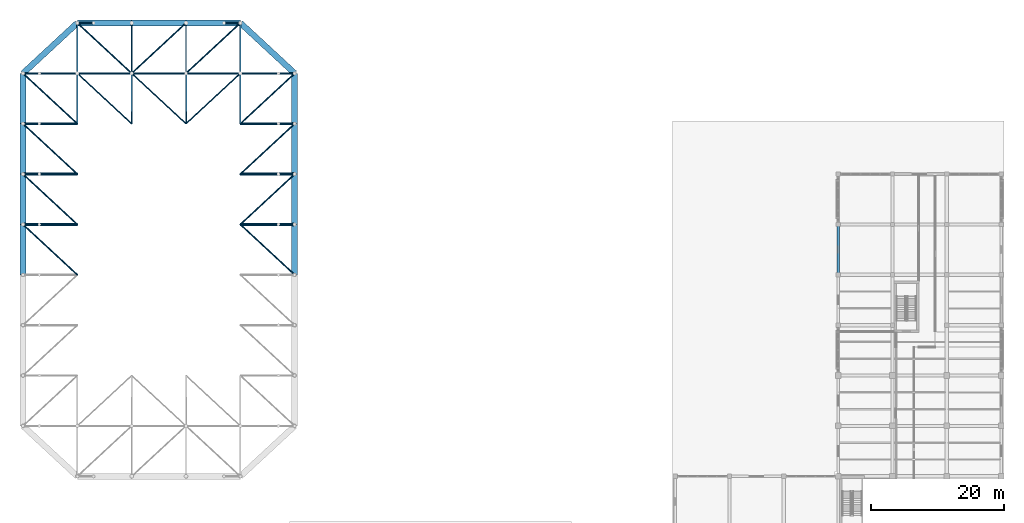
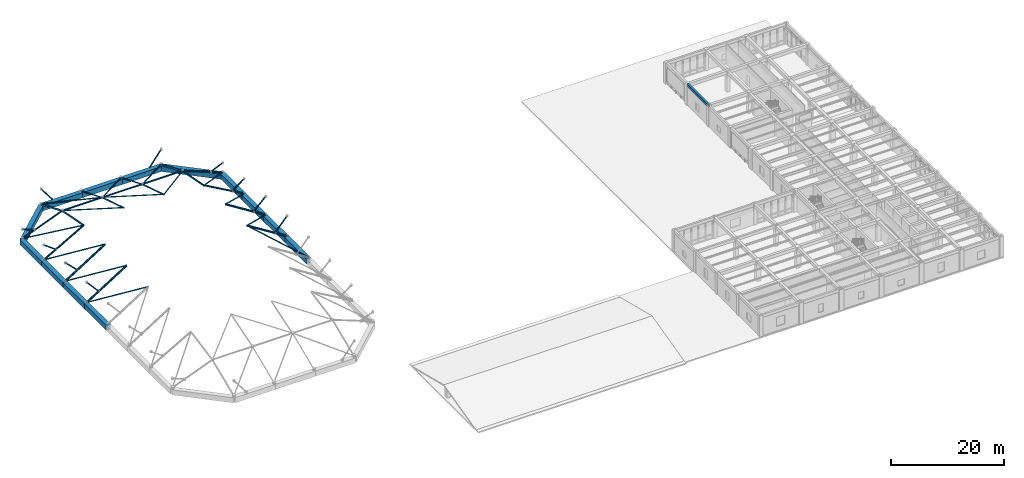
# One storey, part 6 of 23: 43 members, 14 beams.
"""IFC4 building model written with IfcOpenShell, lengths in metres."""

from ifc_helpers import new_model, si_unit, direction, frame, origin, origin_2d, place, context, subcontext, project, spatial, rectangle, hollow_rectangle, hollow_circle, extrude, material, material_profile, profile_set, type_object, element, save


model = new_model("IFC4")

# Units and contexts
model_context = context("Model", 3, precision=1e-05, world=origin(), true_north=direction((0.0, 1.0)))
body_context = subcontext(model_context, "Body", "Model", "MODEL_VIEW")
ifc_project = project(units=[si_unit("LENGTHUNIT", "METRE"), si_unit("AREAUNIT", "SQUARE_METRE"), si_unit("VOLUMEUNIT", "CUBIC_METRE"), si_unit("PLANEANGLEUNIT", "RADIAN"), si_unit("MASSUNIT", "GRAM", prefix="KILO")], contexts=[model_context])

# Site, building, storey
site_placement = place(None, origin())
site = spatial("IfcSite", under=ifc_project, at=site_placement, CompositionType="ELEMENT")
building_placement = place(site_placement, origin())
building = spatial("IfcBuilding", under=site, at=building_placement, Name="Qandaris Square Conservatory and Botanical Centre", CompositionType="ELEMENT")
storey_placement = place(building_placement, frame((0.0, 0.0, 15.0)))
storey = spatial("IfcBuildingStorey", under=building, at=storey_placement, Name="L03", CompositionType="ELEMENT", Elevation=15.0)

# Beams
ifc_material_1 = material(Name="Concrete C50/60", Category="concrete")
ifc_material_profile_1 = material_profile(ifc_material_1, rectangle(XDim=0.89990234375, YDim=1.10009765625, at=origin_2d()), Name="RC-RB 900x1100")
ifc_profile_set_1 = profile_set([ifc_material_profile_1], Name="Concrete C50/60")
beam_type_1 = type_object("IfcBeamType", Name="Conservatory Ring Beam RB1 900x1100", PredefinedType="BEAM", material=ifc_profile_set_1)
for number, where, z_axis, x_axis, name in (
    (1, (57.199951171875, 77.39990234375, -0.550048828125), (0.0, 1.0, 0.0), (-1.0, 0.0, 0.0), "Conservatory Ring Beam RB1-3.4"),
    (2, (57.199951171875, 85.0, -0.550048828125), (0.0, 1.0, 0.0), (-1.0, 0.0, 0.0), "Conservatory Ring Beam RB1-3.5"),
):
    element("IfcBeam", number, at=place(storey_placement, frame(where, z_axis=z_axis, x_axis=x_axis)), inside=storey, type_object=beam_type_1, Name=name, PredefinedType="BEAM", context=body_context, shape_type="SweptSolid", body=[
        extrude(rectangle(XDim=0.89990234375, YDim=1.10009765625, at=origin_2d()), origin(), (0.0, 0.0, 1.0), 7.60009765625),
    ])
beam_1_placement = place(storey_placement, frame((57.199951171875, 92.60009765625, -0.550048828125), z_axis=(0.0, 1.0, 0.0), x_axis=(-1.0, 0.0, 0.0)))
element("IfcBeam", 3, at=beam_1_placement, inside=storey, type_object=beam_type_1, Name="Conservatory Ring Beam RB1-3.6", PredefinedType="BEAM", context=body_context, shape_type="SweptSolid", body=[
    extrude(rectangle(XDim=0.89990234375, YDim=1.10009765625, at=origin_2d()), origin(), (0.0, 0.0, 1.0), 7.599853515625),
])
beam_2_placement = place(storey_placement, frame((57.199951171875, 100.199951171875, -0.550048828125), z_axis=(0.0, 1.0, 0.0), x_axis=(-1.0, 0.0, 0.0)))
element("IfcBeam", 4, at=beam_2_placement, inside=storey, type_object=beam_type_1, Name="Conservatory Ring Beam RB1-3.7", PredefinedType="BEAM", context=body_context, shape_type="SweptSolid", body=[
    extrude(rectangle(XDim=0.89990234375, YDim=1.10009765625, at=origin_2d()), origin(), (0.0, 0.0, 1.0), 7.60009765625),
])
beam_3_placement = place(storey_placement, frame((57.199951171875, 107.800048828125, -0.550048828125), z_axis=(-0.733434810721, 0.67975979465, 0.0), x_axis=(-0.67975979465, -0.733434810721, 0.0)))
element("IfcBeam", 5, at=beam_3_placement, inside=storey, type_object=beam_type_1, Name="Conservatory Ring Beam RB1-4.1", PredefinedType="BEAM", context=body_context, shape_type="SweptSolid", body=[
    extrude(rectangle(XDim=0.89990234375, YDim=1.10009765625, at=origin_2d()), origin(), (0.0, 0.0, 1.0), 11.18017578125),
])
for number, where, z_axis, x_axis, name in (
    (6, (49.0, 115.39990234375, -0.550048828125), (-1.0, 0.0, 0.0), (0.0, -1.0, 0.0), "Conservatory Ring Beam RB1-5.1"),
    (7, (40.800048828125, 115.39990234375, -0.550048828125), (-1.0, 0.0, 0.0), (0.0, -1.0, 0.0), "Conservatory Ring Beam RB1-5.2"),
):
    element("IfcBeam", number, at=place(storey_placement, frame(where, z_axis=z_axis, x_axis=x_axis)), inside=storey, type_object=beam_type_1, Name=name, PredefinedType="BEAM", context=body_context, shape_type="SweptSolid", body=[
        extrude(rectangle(XDim=0.89990234375, YDim=1.10009765625, at=origin_2d()), origin(), (0.0, 0.0, 1.0), 8.199951171875),
    ])
beam_4_placement = place(storey_placement, frame((32.60009765625, 115.39990234375, -0.550048828125), z_axis=(-1.0, 0.0, 0.0), x_axis=(0.0, -1.0, 0.0)))
element("IfcBeam", 8, at=beam_4_placement, inside=storey, type_object=beam_type_1, Name="Conservatory Ring Beam RB1-5.3", PredefinedType="BEAM", context=body_context, shape_type="SweptSolid", body=[
    extrude(rectangle(XDim=0.89990234375, YDim=1.10009765625, at=origin_2d()), origin(), (0.0, 0.0, 1.0), 8.2001953125),
])
beam_5_placement = place(storey_placement, frame((24.39990234375, 115.39990234375, -0.550048828125), z_axis=(-0.733434810721, -0.67975979465, 0.0), x_axis=(0.67975979465, -0.733434810721, 0.0)))
element("IfcBeam", 9, at=beam_5_placement, inside=storey, type_object=beam_type_1, Name="Conservatory Ring Beam RB1-6.1", PredefinedType="BEAM", context=body_context, shape_type="SweptSolid", body=[
    extrude(rectangle(XDim=0.89990234375, YDim=1.10009765625, at=origin_2d()), origin(), (0.0, 0.0, 1.0), 11.18017578125),
])
beam_6_placement = place(storey_placement, frame((16.199951171875, 107.800048828125, -0.550048828125), z_axis=(0.0, -1.0, 0.0), x_axis=(1.0, 0.0, 0.0)))
element("IfcBeam", 10, at=beam_6_placement, inside=storey, type_object=beam_type_1, Name="Conservatory Ring Beam RB1-7.1", PredefinedType="BEAM", context=body_context, shape_type="SweptSolid", body=[
    extrude(rectangle(XDim=0.89990234375, YDim=1.10009765625, at=origin_2d()), origin(), (0.0, 0.0, 1.0), 7.60009765625),
])
beam_7_placement = place(storey_placement, frame((16.199951171875, 100.199951171875, -0.550048828125), z_axis=(0.0, -1.0, 0.0), x_axis=(1.0, 0.0, 0.0)))
element("IfcBeam", 11, at=beam_7_placement, inside=storey, type_object=beam_type_1, Name="Conservatory Ring Beam RB1-7.2", PredefinedType="BEAM", context=body_context, shape_type="SweptSolid", body=[
    extrude(rectangle(XDim=0.89990234375, YDim=1.10009765625, at=origin_2d()), origin(), (0.0, 0.0, 1.0), 7.599853515625),
])
for number, where, z_axis, x_axis, name in (
    (12, (16.199951171875, 92.60009765625, -0.550048828125), (0.0, -1.0, 0.0), (1.0, 0.0, 0.0), "Conservatory Ring Beam RB1-7.3"),
    (13, (16.199951171875, 85.0, -0.550048828125), (0.0, -1.0, 0.0), (1.0, 0.0, 0.0), "Conservatory Ring Beam RB1-7.4"),
):
    element("IfcBeam", number, at=place(storey_placement, frame(where, z_axis=z_axis, x_axis=x_axis)), inside=storey, type_object=beam_type_1, Name=name, PredefinedType="BEAM", context=body_context, shape_type="SweptSolid", body=[
        extrude(rectangle(XDim=0.89990234375, YDim=1.10009765625, at=origin_2d()), origin(), (0.0, 0.0, 1.0), 7.60009765625),
    ])

# Members
ifc_material_2 = material(Name="Steel S355", Category="steel")
ifc_material_profile_2 = material_profile(ifc_material_2, hollow_circle(Radius=0.136474609375, WallThickness=0.010009765625, at=origin_2d()), Name="CHS 273.0x10.0")
ifc_profile_set_2 = profile_set([ifc_material_profile_2], Name="Steel S355")
member_type_1 = type_object("IfcMemberType", Name="Gridshell Crown Ring Chord CHS 273.0x10.0", PredefinedType="CHORD", material=ifc_profile_set_2)
member_1_placement = place(storey_placement, frame((18.659912109375, 85.0, 1.7255859375), z_axis=(-0.656610988508, 0.0, 0.754229414549), x_axis=(0.0, -1.0, 0.0)))
element("IfcMember", 14, at=member_1_placement, inside=storey, type_object=member_type_1, Name="Dome Glazing V-Strut 0.5", PredefinedType="CHORD", context=body_context, shape_type="SweptSolid", body=[
    extrude(hollow_circle(Radius=0.136474609375, WallThickness=0.010009765625, at=origin_2d()), origin(), (0.0, 0.0, 1.0), 3.746337890625),
])
member_2_placement = place(storey_placement, frame((18.659912109375, 92.60009765625, 1.7255859375), z_axis=(-0.710624309805, 0.0, 0.703571666794), x_axis=(0.0, -1.0, 0.0)))
element("IfcMember", 15, at=member_2_placement, inside=storey, type_object=member_type_1, Name="Dome Glazing V-Strut 0.6", PredefinedType="CHORD", context=body_context, shape_type="SweptSolid", body=[
    extrude(hollow_circle(Radius=0.136474609375, WallThickness=0.010009765625, at=origin_2d()), origin(), (0.0, 0.0, 1.0), 3.461669921875),
])
member_3_placement = place(storey_placement, frame((18.659912109375, 100.199951171875, 1.57470703125), z_axis=(-0.806064059435, 0.0, 0.591828296119), x_axis=(0.0, -1.0, 0.0)))
element("IfcMember", 16, at=member_3_placement, inside=storey, type_object=member_type_1, Name="Dome Glazing V-Strut 0.7", PredefinedType="CHORD", context=body_context, shape_type="SweptSolid", body=[
    extrude(hollow_circle(Radius=0.136474609375, WallThickness=0.010009765625, at=origin_2d()), origin(), (0.0, 0.0, 1.0), 3.0517578125),
])
member_4_placement = place(storey_placement, frame((18.659912109375, 107.800048828125, 1.134033203125), z_axis=(-0.91613229224, 0.0, 0.40087606952), x_axis=(0.0, -1.0, 0.0)))
element("IfcMember", 17, at=member_4_placement, inside=storey, type_object=member_type_1, Name="Dome Glazing V-Strut 0.8", PredefinedType="CHORD", context=body_context, shape_type="SweptSolid", body=[
    extrude(hollow_circle(Radius=0.136474609375, WallThickness=0.010009765625, at=origin_2d()), origin(), (0.0, 0.0, 1.0), 2.68505859375),
])
member_5_placement = place(storey_placement, frame((26.860107421875, 115.39990234375, 0.179931640625), z_axis=(-0.603069267714, 0.0, 0.797688823), x_axis=(0.0, -1.0, 0.0)))
element("IfcMember", 18, at=member_5_placement, inside=storey, type_object=member_type_1, Name="Dome Glazing V-Strut 1.9", PredefinedType="CHORD", context=body_context, shape_type="SweptSolid", body=[
    extrude(hollow_circle(Radius=0.136474609375, WallThickness=0.010009765625, at=origin_2d()), origin(), (0.0, 0.0, 1.0), 4.07958984375),
])
member_6_placement = place(storey_placement, frame((46.5400390625, 115.39990234375, 0.179931640625), z_axis=(0.603031185126, 0.0, 0.797717612797), x_axis=(0.0, 1.0, 0.0)))
element("IfcMember", 19, at=member_6_placement, inside=storey, type_object=member_type_1, Name="Dome Glazing V-Strut 4.9", PredefinedType="CHORD", context=body_context, shape_type="SweptSolid", body=[
    extrude(hollow_circle(Radius=0.136474609375, WallThickness=0.010009765625, at=origin_2d()), origin(), (0.0, 0.0, 1.0), 4.079345703125),
])
member_7_placement = place(storey_placement, frame((54.739990234375, 85.0, 1.7255859375), z_axis=(0.656610988508, 0.0, 0.754229414549), x_axis=(0.0, 1.0, 0.0)))
element("IfcMember", 20, at=member_7_placement, inside=storey, type_object=member_type_1, Name="Dome Glazing V-Strut 5.5", PredefinedType="CHORD", context=body_context, shape_type="SweptSolid", body=[
    extrude(hollow_circle(Radius=0.136474609375, WallThickness=0.010009765625, at=origin_2d()), origin(), (0.0, 0.0, 1.0), 3.746337890625),
])
member_8_placement = place(storey_placement, frame((54.739990234375, 92.60009765625, 1.7255859375), z_axis=(0.710624309805, 0.0, 0.703571666794), x_axis=(0.0, 1.0, 0.0)))
element("IfcMember", 21, at=member_8_placement, inside=storey, type_object=member_type_1, Name="Dome Glazing V-Strut 5.6", PredefinedType="CHORD", context=body_context, shape_type="SweptSolid", body=[
    extrude(hollow_circle(Radius=0.136474609375, WallThickness=0.010009765625, at=origin_2d()), origin(), (0.0, 0.0, 1.0), 3.461669921875),
])
member_9_placement = place(storey_placement, frame((54.739990234375, 100.199951171875, 1.57470703125), z_axis=(0.806064059435, 0.0, 0.591828296119), x_axis=(0.0, 1.0, 0.0)))
element("IfcMember", 22, at=member_9_placement, inside=storey, type_object=member_type_1, Name="Dome Glazing V-Strut 5.7", PredefinedType="CHORD", context=body_context, shape_type="SweptSolid", body=[
    extrude(hollow_circle(Radius=0.136474609375, WallThickness=0.010009765625, at=origin_2d()), origin(), (0.0, 0.0, 1.0), 3.0517578125),
])
member_10_placement = place(storey_placement, frame((54.739990234375, 107.800048828125, 1.134033203125), z_axis=(0.91613229224, 0.0, 0.40087606952), x_axis=(0.0, 1.0, 0.0)))
element("IfcMember", 23, at=member_10_placement, inside=storey, type_object=member_type_1, Name="Dome Glazing V-Strut 5.8", PredefinedType="CHORD", context=body_context, shape_type="SweptSolid", body=[
    extrude(hollow_circle(Radius=0.136474609375, WallThickness=0.010009765625, at=origin_2d()), origin(), (0.0, 0.0, 1.0), 2.68505859375),
])
ifc_material_profile_3 = material_profile(ifc_material_2, hollow_circle(Radius=0.161865234375, WallThickness=0.012451171875, at=origin_2d()), Name="CHS 323.9x12.5")
ifc_profile_set_3 = profile_set([ifc_material_profile_3], Name="Steel S355")
member_type_2 = type_object("IfcMemberType", Name="Gridshell Edge Arch Chord CHS 323.9x12.5", PredefinedType="CHORD", material=ifc_profile_set_3)
member_11_placement = place(storey_placement, frame((16.199951171875, 107.800048828125, 0.179931640625), z_axis=(0.932338201429, 0.0, 0.361587441922), x_axis=(0.0, 1.0, 0.0)))
element("IfcMember", 24, at=member_11_placement, inside=storey, type_object=member_type_2, Name="Conservatory Roof Truss Chord 008", PredefinedType="CHORD", context=body_context, shape_type="SweptSolid", body=[
    extrude(hollow_circle(Radius=0.161865234375, WallThickness=0.012451171875, at=origin_2d()), origin(), (0.0, 0.0, 1.0), 8.794921875),
])
member_12_placement = place(storey_placement, frame((24.39990234375, 107.800048828125, 3.360107421875), z_axis=(1.0, 0.0, 0.0), x_axis=(0.0, 1.0, 0.0)))
element("IfcMember", 25, at=member_12_placement, inside=storey, type_object=member_type_2, Name="Conservatory Roof Truss Chord 016", PredefinedType="CHORD", context=body_context, shape_type="SweptSolid", body=[
    extrude(hollow_circle(Radius=0.161865234375, WallThickness=0.012451171875, at=origin_2d()), origin(), (0.0, 0.0, 1.0), 8.2001953125),
])
for number, where, z_axis, x_axis, name in (
    (26, (32.60009765625, 107.800048828125, 3.360107421875), (1.0, 0.0, 0.0), (0.0, 1.0, 0.0), "Conservatory Roof Truss Chord 024"),
    (27, (40.800048828125, 107.800048828125, 3.360107421875), (1.0, 0.0, 0.0), (0.0, 1.0, 0.0), "Conservatory Roof Truss Chord 032"),
):
    element("IfcMember", number, at=place(storey_placement, frame(where, z_axis=z_axis, x_axis=x_axis)), inside=storey, type_object=member_type_2, Name=name, PredefinedType="CHORD", context=body_context, shape_type="SweptSolid", body=[
        extrude(hollow_circle(Radius=0.161865234375, WallThickness=0.012451171875, at=origin_2d()), origin(), (0.0, 0.0, 1.0), 8.199951171875),
    ])
member_13_placement = place(storey_placement, frame((49.0, 107.800048828125, 3.360107421875), z_axis=(0.932338201429, 0.0, -0.361587441922), x_axis=(0.0, 1.0, 0.0)))
element("IfcMember", 28, at=member_13_placement, inside=storey, type_object=member_type_2, Name="Conservatory Roof Truss Chord 040", PredefinedType="CHORD", context=body_context, shape_type="SweptSolid", body=[
    extrude(hollow_circle(Radius=0.161865234375, WallThickness=0.012451171875, at=origin_2d()), origin(), (0.0, 0.0, 1.0), 8.794921875),
])
ifc_material_profile_4 = material_profile(ifc_material_2, hollow_rectangle(XDim=0.14990234375, YDim=0.25, WallThickness=0.008056640625, at=origin_2d()), Name="RHS 250x150x8.0")
ifc_profile_set_4 = profile_set([ifc_material_profile_4], Name="Steel S355")
member_type_3 = type_object("IfcMemberType", Name="Gridshell Longitudinal Purlin RHS 250x150x8.0", PredefinedType="PURLIN", material=ifc_profile_set_4)
for number, where, z_axis, x_axis, name in (
    (29, (32.60009765625, 100.199951171875, 5.665283203125), (0.0, 0.954122625701, -0.29941612369), (-1.0, 0.0, 0.0), "Conservatory Roof Purlin 017"),
    (30, (40.800048828125, 100.199951171875, 5.665283203125), (0.0, 0.954122625701, -0.29941612369), (-1.0, 0.0, 0.0), "Conservatory Roof Purlin 026"),
):
    element("IfcMember", number, at=place(storey_placement, frame(where, z_axis=z_axis, x_axis=x_axis)), inside=storey, type_object=member_type_3, Name=name, PredefinedType="PURLIN", context=body_context, shape_type="SweptSolid", body=[
        extrude(hollow_rectangle(XDim=0.14990234375, YDim=0.25, WallThickness=0.008056640625, at=origin_2d()), origin(), (0.0, 0.0, 1.0), 7.965576171875),
    ])
ifc_material_profile_5 = material_profile(ifc_material_2, hollow_circle(Radius=0.122314453125, WallThickness=0.010009765625, at=origin_2d()), Name="CHS 244.5x10.0")
ifc_profile_set_5 = profile_set([ifc_material_profile_5], Name="Steel S355")
member_type_4 = type_object("IfcMemberType", Name="Gridshell Lower Diagrid Brace CHS 244.5x10.0", PredefinedType="BRACE", material=ifc_profile_set_5)
for number, where, z_axis, x_axis, name in (
    (31, (16.199951171875, 85.0, 0.179931640625), (0.666101983384, -0.617374422924, 0.418517585832), (0.67977154102, 0.733423923811, 0.0), "Conservatory Diagrid Brace 004"),
    (32, (16.199951171875, 92.60009765625, 0.179931640625), (0.666101983384, -0.617374422924, 0.418517585832), (0.67977154102, 0.733423923811, 0.0), "Conservatory Diagrid Brace 005"),
    (33, (16.199951171875, 100.199951171875, 0.179931640625), (0.666110139058, -0.617362149604, 0.418522710113), (0.67975979465, 0.733434810721, 0.0), "Conservatory Diagrid Brace 006"),
):
    element("IfcMember", number, at=place(storey_placement, frame(where, z_axis=z_axis, x_axis=x_axis)), inside=storey, type_object=member_type_4, Name=name, PredefinedType="BRACE", context=body_context, shape_type="SweptSolid", body=[
        extrude(hollow_circle(Radius=0.122314453125, WallThickness=0.010009765625, at=origin_2d()), origin(), (0.0, 0.0, 1.0), 12.310302734375),
    ])
member_14_placement = place(storey_placement, frame((16.199951171875, 107.800048828125, 0.179931640625), z_axis=(0.677212144901, -0.627671839425, 0.38394240817), x_axis=(0.67977154102, 0.733423923811, 0.0)))
element("IfcMember", 34, at=member_14_placement, inside=storey, type_object=member_type_4, Name="Conservatory Diagrid Brace 007", PredefinedType="BRACE", context=body_context, shape_type="SweptSolid", body=[
    extrude(hollow_circle(Radius=0.122314453125, WallThickness=0.010009765625, at=origin_2d()), origin(), (0.0, 0.0, 1.0), 12.1083984375),
])
for number, where, z_axis, x_axis, name in (
    (35, (24.39990234375, 115.39990234375, 0.179931640625), (0.705461351384, -0.653814052853, 0.273589959602), (0.679748907773, 0.733444900713, 0.0), "Conservatory Diagrid Brace 016"),
    (36, (32.60009765625, 107.800048828125, 3.360107421875), (0.705450800644, 0.653823740532, -0.273594013434), (-0.67975979465, 0.733434810721, 0.0), "Conservatory Diagrid Brace 025"),
    (37, (40.800048828125, 107.800048828125, 3.360107421875), (0.705450800644, 0.653823740532, -0.273594013434), (-0.67975979465, 0.733434810721, 0.0), "Conservatory Diagrid Brace 034"),
):
    element("IfcMember", number, at=place(storey_placement, frame(where, z_axis=z_axis, x_axis=x_axis)), inside=storey, type_object=member_type_4, Name=name, PredefinedType="BRACE", context=body_context, shape_type="SweptSolid", body=[
        extrude(hollow_circle(Radius=0.122314453125, WallThickness=0.010009765625, at=origin_2d()), origin(), (0.0, 0.0, 1.0), 11.623779296875),
    ])
for number, where, z_axis, x_axis, name in (
    (38, (49.0, 85.0, 5.33203125), (0.666101983384, -0.617374422924, -0.418517585832), (0.67977154102, 0.733423923811, 0.0), "Conservatory Diagrid Brace 038"),
    (39, (49.0, 85.0, 5.33203125), (0.666101983384, 0.617374422924, -0.418517585832), (-0.67977154102, 0.733423923811, 0.0), "Conservatory Diagrid Brace 039"),
    (40, (49.0, 92.60009765625, 5.33203125), (0.666110139058, 0.617362149604, -0.418522710113), (-0.67975979465, 0.733434810721, 0.0), "Conservatory Diagrid Brace 040"),
):
    element("IfcMember", number, at=place(storey_placement, frame(where, z_axis=z_axis, x_axis=x_axis)), inside=storey, type_object=member_type_4, Name=name, PredefinedType="BRACE", context=body_context, shape_type="SweptSolid", body=[
        extrude(hollow_circle(Radius=0.122314453125, WallThickness=0.010009765625, at=origin_2d()), origin(), (0.0, 0.0, 1.0), 12.310302734375),
    ])
member_15_placement = place(storey_placement, frame((49.0, 100.199951171875, 4.828857421875), z_axis=(0.677212144901, 0.627671839425, -0.38394240817), x_axis=(-0.67977154102, 0.733423923811, 0.0)))
element("IfcMember", 41, at=member_15_placement, inside=storey, type_object=member_type_4, Name="Conservatory Diagrid Brace 041", PredefinedType="BRACE", context=body_context, shape_type="SweptSolid", body=[
    extrude(hollow_circle(Radius=0.122314453125, WallThickness=0.010009765625, at=origin_2d()), origin(), (0.0, 0.0, 1.0), 12.1083984375),
])
ifc_material_profile_6 = material_profile(ifc_material_2, hollow_rectangle(XDim=0.199951171875, YDim=0.300048828125, WallThickness=0.010009765625, at=origin_2d()), Name="RHS 300x200x10.0")
ifc_profile_set_6 = profile_set([ifc_material_profile_6], Name="Steel S355")
member_type_5 = type_object("IfcMemberType", Name="Gridshell Main Ring Purlin RHS 300x200x10.0", PredefinedType="PURLIN", material=ifc_profile_set_6)
member_16_placement = place(storey_placement, frame((24.39990234375, 100.199951171875, 4.748779296875), z_axis=(0.0, 0.981839591924, -0.189712982506), x_axis=(-1.0, 0.0, 0.0)))
element("IfcMember", 42, at=member_16_placement, inside=storey, type_object=member_type_5, Name="Conservatory Roof Purlin 008", PredefinedType="PURLIN", context=body_context, shape_type="SweptSolid", body=[
    extrude(hollow_rectangle(XDim=0.199951171875, YDim=0.300048828125, WallThickness=0.010009765625, at=origin_2d()), origin(), (0.0, 0.0, 1.0), 7.74072265625),
])
member_17_placement = place(storey_placement, frame((24.39990234375, 107.800048828125, 3.2802734375), z_axis=(0.0, 0.922491057733, -0.386018456039), x_axis=(-1.0, 0.0, 0.0)))
element("IfcMember", 43, at=member_17_placement, inside=storey, type_object=member_type_5, Name="Conservatory Roof Purlin 009", PredefinedType="PURLIN", context=body_context, shape_type="SweptSolid", body=[
    extrude(hollow_rectangle(XDim=0.199951171875, YDim=0.300048828125, WallThickness=0.010009765625, at=origin_2d()), origin(), (0.0, 0.0, 1.0), 8.238525390625),
])
member_18_placement = place(storey_placement, frame((49.0, 100.199951171875, 4.748779296875), z_axis=(0.0, 0.981839591924, -0.189712982506), x_axis=(-1.0, 0.0, 0.0)))
element("IfcMember", 44, at=member_18_placement, inside=storey, type_object=member_type_5, Name="Conservatory Roof Purlin 035", PredefinedType="PURLIN", context=body_context, shape_type="SweptSolid", body=[
    extrude(hollow_rectangle(XDim=0.199951171875, YDim=0.300048828125, WallThickness=0.010009765625, at=origin_2d()), origin(), (0.0, 0.0, 1.0), 7.74072265625),
])
member_19_placement = place(storey_placement, frame((49.0, 107.800048828125, 3.2802734375), z_axis=(0.0, 0.922491057733, -0.386018456039), x_axis=(-1.0, 0.0, 0.0)))
element("IfcMember", 45, at=member_19_placement, inside=storey, type_object=member_type_5, Name="Conservatory Roof Purlin 036", PredefinedType="PURLIN", context=body_context, shape_type="SweptSolid", body=[
    extrude(hollow_rectangle(XDim=0.199951171875, YDim=0.300048828125, WallThickness=0.010009765625, at=origin_2d()), origin(), (0.0, 0.0, 1.0), 8.238525390625),
])
ifc_material_profile_7 = material_profile(ifc_material_2, hollow_circle(Radius=0.109619140625, WallThickness=0.008056640625, at=origin_2d()), Name="CHS 219.1x8.0")
ifc_profile_set_7 = profile_set([ifc_material_profile_7], Name="Steel S355")
member_type_6 = type_object("IfcMemberType", Name="Gridshell Mid Diagrid Brace CHS 219.1x8.0", PredefinedType="BRACE", material=ifc_profile_set_7)
member_20_placement = place(storey_placement, frame((24.39990234375, 107.800048828125, 3.360107421875), z_axis=(0.717292295206, -0.664800200957, 0.208644329051), x_axis=(0.679760654278, 0.733434014002, 0.0)))
element("IfcMember", 46, at=member_20_placement, inside=storey, type_object=member_type_6, Name="Conservatory Diagrid Brace 015", PredefinedType="BRACE", context=body_context, shape_type="SweptSolid", body=[
    extrude(hollow_circle(Radius=0.109619140625, WallThickness=0.008056640625, at=origin_2d()), origin(), (0.0, 0.0, 1.0), 11.43212890625),
])
for number, where, z_axis, x_axis, name in (
    (47, (32.60009765625, 107.800048828125, 3.360107421875), (0.717281926994, -0.664810384593, 0.208647525136), (0.67977154102, 0.733423923811, 0.0), "Conservatory Diagrid Brace 024"),
    (48, (40.800048828125, 100.199951171875, 5.745361328125), (0.717281926994, 0.664810384593, -0.208647525136), (-0.67977154102, 0.733423923811, 0.0), "Conservatory Diagrid Brace 033"),
):
    element("IfcMember", number, at=place(storey_placement, frame(where, z_axis=z_axis, x_axis=x_axis)), inside=storey, type_object=member_type_6, Name=name, PredefinedType="BRACE", context=body_context, shape_type="SweptSolid", body=[
        extrude(hollow_circle(Radius=0.109619140625, WallThickness=0.008056640625, at=origin_2d()), origin(), (0.0, 0.0, 1.0), 11.431884765625),
    ])
ifc_material_profile_8 = material_profile(ifc_material_2, hollow_circle(Radius=0.203125, WallThickness=0.01416015625, at=origin_2d()), Name="CHS 406.4x14.2")
ifc_profile_set_8 = profile_set([ifc_material_profile_8], Name="Steel S355")
member_type_7 = type_object("IfcMemberType", Name="Gridshell Primary Arch Chord CHS 406.4x14.2", PredefinedType="CHORD", material=ifc_profile_set_8)
for number, where, z_axis, x_axis, name in (
    (49, (16.199951171875, 85.0, 0.179931640625), (0.846736814642, 0.0, 0.532011998672), (0.0, 1.0, 0.0), "Conservatory Roof Truss Chord 005"),
    (50, (16.199951171875, 92.60009765625, 0.179931640625), (0.846736814642, 0.0, 0.532011998672), (0.0, 1.0, 0.0), "Conservatory Roof Truss Chord 006"),
    (51, (49.0, 85.0, 5.33203125), (0.846736814642, 0.0, -0.532011998672), (0.0, 1.0, 0.0), "Conservatory Roof Truss Chord 037"),
    (52, (49.0, 92.60009765625, 5.33203125), (0.846736814642, 0.0, -0.532011998672), (0.0, 1.0, 0.0), "Conservatory Roof Truss Chord 038"),
):
    element("IfcMember", number, at=place(storey_placement, frame(where, z_axis=z_axis, x_axis=x_axis)), inside=storey, type_object=member_type_7, Name=name, PredefinedType="CHORD", context=body_context, shape_type="SweptSolid", body=[
        extrude(hollow_circle(Radius=0.203125, WallThickness=0.01416015625, at=origin_2d()), origin(), (0.0, 0.0, 1.0), 9.68408203125),
    ])
ifc_material_profile_9 = material_profile(ifc_material_2, hollow_circle(Radius=0.177734375, WallThickness=0.012451171875, at=origin_2d()), Name="CHS 355.6x12.5")
ifc_profile_set_9 = profile_set([ifc_material_profile_9], Name="Steel S355")
member_type_8 = type_object("IfcMemberType", Name="Gridshell Secondary Arch Chord CHS 355.6x12.5", PredefinedType="CHORD", material=ifc_profile_set_9)
for number, where, z_axis, x_axis, name in (
    (53, (16.199951171875, 100.199951171875, 0.179931640625), (0.869918107255, 0.0, 0.493196194907), (0.0, 1.0, 0.0), "Conservatory Roof Truss Chord 007"),
    (54, (49.0, 100.199951171875, 4.828857421875), (0.869918107255, 0.0, -0.493196194907), (0.0, 1.0, 0.0), "Conservatory Roof Truss Chord 039"),
):
    element("IfcMember", number, at=place(storey_placement, frame(where, z_axis=z_axis, x_axis=x_axis)), inside=storey, type_object=member_type_8, Name=name, PredefinedType="CHORD", context=body_context, shape_type="SweptSolid", body=[
        extrude(hollow_circle(Radius=0.177734375, WallThickness=0.012451171875, at=origin_2d()), origin(), (0.0, 0.0, 1.0), 9.426025390625),
    ])
ifc_material_profile_10 = material_profile(ifc_material_2, hollow_rectangle(XDim=0.1201171875, YDim=0.199951171875, WallThickness=0.008056640625, at=origin_2d()), Name="RHS 200x120x8.0")
ifc_profile_set_10 = profile_set([ifc_material_profile_10], Name="Steel S355")
member_type_9 = type_object("IfcMemberType", Name="Gridshell Upper Purlin RHS 200x120x8.0", PredefinedType="PURLIN", material=ifc_profile_set_10)
for number, where, z_axis, x_axis, name in (
    (55, (32.60009765625, 107.800048828125, 3.2802734375), (0.0, 0.922491057733, -0.386018456039), (-1.0, 0.0, 0.0), "Conservatory Roof Purlin 018"),
    (56, (40.800048828125, 107.800048828125, 3.2802734375), (0.0, 0.922491057733, -0.386018456039), (-1.0, 0.0, 0.0), "Conservatory Roof Purlin 027"),
):
    element("IfcMember", number, at=place(storey_placement, frame(where, z_axis=z_axis, x_axis=x_axis)), inside=storey, type_object=member_type_9, Name=name, PredefinedType="PURLIN", context=body_context, shape_type="SweptSolid", body=[
        extrude(hollow_rectangle(XDim=0.1201171875, YDim=0.199951171875, WallThickness=0.008056640625, at=origin_2d()), origin(), (0.0, 0.0, 1.0), 8.238525390625),
    ])

# Beam
ifc_material_profile_11 = material_profile(ifc_material_1, rectangle(XDim=0.35009765625, YDim=0.60009765625, at=origin_2d()), Name="RC-SP 350x600")
ifc_profile_set_11 = profile_set([ifc_material_profile_11], Name="Concrete C50/60")
beam_type_2 = type_object("IfcBeamType", Name="RC Edge Spandrel Beam 350x600", PredefinedType="SPANDREL", material=ifc_profile_set_11)
beam_8_placement = place(storey_placement, frame((139.199951171875, 77.39990234375, 4.27001953125), z_axis=(0.0, 1.0, 0.0), x_axis=(-1.0, 0.0, 0.0)))
element("IfcBeam", 57, at=beam_8_placement, inside=storey, type_object=beam_type_2, Name="L03 Frame Beam 1601", PredefinedType="SPANDREL", context=body_context, shape_type="SweptSolid", body=[
    extrude(rectangle(XDim=0.35009765625, YDim=0.60009765625, at=origin_2d()), origin(), (0.0, 0.0, 1.0), 7.60009765625),
])

save(model, "model.ifc")
